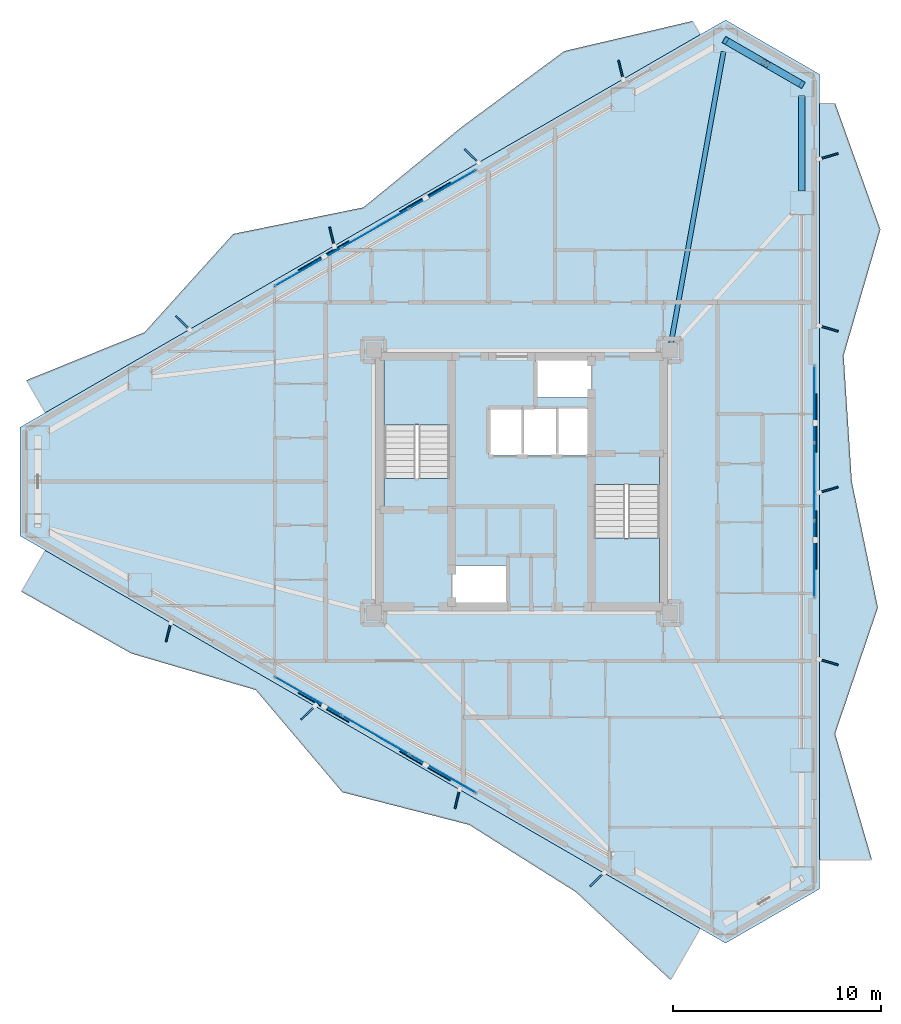
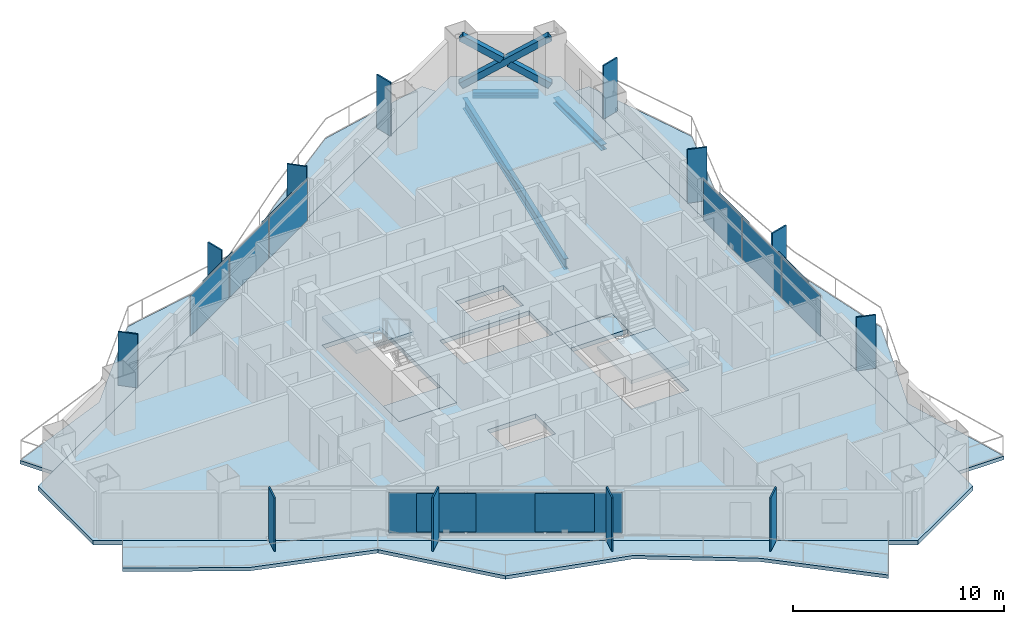
# One storey, part 14 of 22: 27 plates, 8 slabs, 3 beams, 3 members, 5 elements without a shape of their own.
"""IFC4 building model written with IfcOpenShell, lengths in metres."""

from ifc_helpers import new_model, si_unit, direction, frame, origin, origin_2d, place, context, subcontext, project, spatial, polyline, rectangle, hollow_rectangle, i_section, outline, extrude, material, layer, layer_set, material_profile, profile_set, type_object, element, aggregate, save


model = new_model("IFC4")

# Units and contexts
model_context = context("Model", 3, precision=1e-05, world=origin(), true_north=direction((0.0, 1.0)))
body_context = subcontext(model_context, "Body", "Model", "MODEL_VIEW")
ifc_project = project(units=[si_unit("LENGTHUNIT", "METRE"), si_unit("AREAUNIT", "SQUARE_METRE"), si_unit("VOLUMEUNIT", "CUBIC_METRE"), si_unit("PLANEANGLEUNIT", "RADIAN"), si_unit("MASSUNIT", "GRAM", prefix="KILO")], contexts=[model_context])

# Site, building, storey
site_placement = place(None, origin())
site = spatial("IfcSite", under=ifc_project, at=site_placement, CompositionType="ELEMENT")
building_placement = place(site_placement, origin())
building = spatial("IfcBuilding", under=site, at=building_placement, Name="Mersakhor Tower and Convention Hall", CompositionType="ELEMENT")
storey_placement = place(building_placement, frame((0.0, 0.0, 103.199951171875)))
storey = spatial("IfcBuildingStorey", under=building, at=storey_placement, Name="L28", CompositionType="ELEMENT", Elevation=103.199951171875)

# Beams
ifc_material_1 = material(Name="Steel S355", Category="steel")
ifc_material_profile_1 = material_profile(ifc_material_1, i_section(OverallWidth=0.22900390625, OverallDepth=0.6123046875, WebThickness=0.011962890625, FlangeThickness=0.01953125, at=origin_2d()), Name="UB 610x229x125")
ifc_profile_set_1 = profile_set([ifc_material_profile_1], Name="Steel S355")
beam_type_1 = type_object("IfcBeamType", Name="BM-PR-610", PredefinedType="BEAM", material=ifc_profile_set_1)
beam_1_placement = place(storey_placement, frame((36.1630859375, 33.3994140625, -0.55615234375), z_axis=(0.177407335198, 0.984137509405, 0.0), x_axis=(-0.984137509405, 0.177407335198, 0.0)))
element("IfcBeam", 1, at=beam_1_placement, inside=storey, type_object=beam_type_1, Name="L28 Primary Floor Girder FG-2", PredefinedType="BEAM", context=body_context, shape_type="SweptSolid", body=[
    extrude(i_section(OverallWidth=0.22900390625, OverallDepth=0.6123046875, WebThickness=0.011962890625, FlangeThickness=0.01953125, at=origin_2d()), origin(), (0.0, 0.0, 1.0), 14.188232421875),
])
ifc_material_2 = material(Name="Steel S355", Category="steel")
ifc_material_profile_2 = material_profile(ifc_material_2, i_section(OverallWidth=0.30908203125, OverallDepth=0.320556640625, WebThickness=0.013916015625, FlangeThickness=0.021728515625, at=origin_2d()), Name="UC 305x305x137")
ifc_profile_set_2 = profile_set([ifc_material_profile_2], Name="Steel S355")
beam_type_2 = type_object("IfcBeamType", Name="BM-SPD-UC305", PredefinedType="SPANDREL", material=ifc_profile_set_2)
beam_2_placement = place(storey_placement, frame((39.25927734375, 47.631103515625, -0.41015625), z_axis=(0.866052319632, -0.499953377486, 0.0), x_axis=(0.499953377486, 0.866052319632, 0.0)))
element("IfcBeam", 2, at=beam_2_placement, inside=storey, type_object=beam_type_2, Name="L28 Perimeter Spandrel Beam SPB-04", PredefinedType="SPANDREL", context=body_context, shape_type="SweptSolid", body=[
    extrude(i_section(OverallWidth=0.30908203125, OverallDepth=0.320556640625, WebThickness=0.013916015625, FlangeThickness=0.021728515625, at=origin_2d()), origin(), (0.0, 0.0, 1.0), 3.111572265625),
])
beam_3_placement = place(storey_placement, frame((42.4345703125, 45.242919921875, -0.41015625), z_axis=(0.0, -1.0, 0.0), x_axis=(1.0, 0.0, 0.0)))
element("IfcBeam", 3, at=beam_3_placement, inside=storey, type_object=beam_type_2, Name="L28 Perimeter Spandrel Beam SPB-05", PredefinedType="SPANDREL", context=body_context, shape_type="SweptSolid", body=[
    extrude(i_section(OverallWidth=0.30908203125, OverallDepth=0.320556640625, WebThickness=0.013916015625, FlangeThickness=0.021728515625, at=origin_2d()), origin(), (0.0, 0.0, 1.0), 4.566162109375),
])

# Members
ifc_material_3 = material(Name="Steel S460", Category="steel")
ifc_material_profile_3 = material_profile(ifc_material_3, hollow_rectangle(XDim=0.35009765625, YDim=0.35009765625, WallThickness=0.02001953125, at=origin_2d()), Name="SHS 350x350x20")
ifc_profile_set_3 = profile_set([ifc_material_profile_3], Name="Steel S460")
member_type = type_object("IfcMemberType", Name="MB-BRC-SHS350", PredefinedType="BRACE", material=ifc_profile_set_3)
member_placement = place(storey_placement, frame((38.77880859375, 47.90869140625, 0.150146484375), z_axis=(0.725633725484, -0.418933054415, 0.545848689986), x_axis=(0.49998946241, 0.866031487579, 0.0)))
element("IfcMember", 4, at=member_placement, inside=storey, type_object=member_type, Name="L28 Chamfer Braced Frame Diagonal CB-1A", PredefinedType="BRACE", context=body_context, shape_type="SweptSolid", body=[
    extrude(hollow_rectangle(XDim=0.35009765625, YDim=0.35009765625, WallThickness=0.02001953125, at=origin_2d()), origin(), (0.0, 0.0, 1.0), 5.0380859375),
])
for number, where, z_axis, x_axis, name in (
    (5, (42.4345703125, 45.798095703125, 0.150146484375), (-0.725684866011, 0.418886985747, 0.545816057307), (-0.499921796684, -0.866070549782, 0.0), "L28 Chamfer Braced Frame Diagonal CB-1B Lower Half"),
    (6, (40.4619140625, 46.93701171875, 1.6337890625), (-0.725593346201, 0.41889491121, 0.545931634283), (-0.499976186015, -0.866039152359, 0.0), "L28 Chamfer Braced Frame Diagonal CB-1B Upper Half"),
):
    element("IfcMember", number, at=place(storey_placement, frame(where, z_axis=z_axis, x_axis=x_axis)), inside=storey, type_object=member_type, Name=name, PredefinedType="BRACE", context=body_context, shape_type="SweptSolid", body=[
        extrude(hollow_rectangle(XDim=0.35009765625, YDim=0.35009765625, WallThickness=0.02001953125, at=origin_2d()), origin(), (0.0, 0.0, 1.0), 2.319580078125),
    ])

# Curtain wall, plates
ifc_material_4 = material(Name="Dark solar low-E aluminium curtain wall", Category="aluminium")
ifc_layer_1 = layer(ifc_material_4, 0.159912109375)
ifc_layer_set_1 = layer_set([ifc_layer_1], Name="Dark solar low-E aluminium curtain wall")
curtain_wall_type = type_object("IfcCurtainWallType", Name="CW-SYS-01", PredefinedType="USERDEFINED", material=ifc_layer_set_1)
curtain_wall_1_placement = place(storey_placement, origin())
curtain_wall_1 = element("IfcCurtainWall", 7, at=curtain_wall_1_placement, inside=storey, type_object=curtain_wall_type, Name="L28 Dark-Glass Curtain Wall F1-B2", ObjectType="CURTAIN WALL", PredefinedType="USERDEFINED")
ifc_material_5 = material(Name="Dark solar double glazing", Category="glass")
ifc_layer_2 = layer(ifc_material_5, 0.02392578125)
ifc_layer_set_2 = layer_set([ifc_layer_2], Name="Dark solar double glazing")
plate_type_1 = type_object("IfcPlateType", Name="CWP-GLZ-24", PredefinedType="CURTAIN_PANEL", material=ifc_layer_set_2)
plate_1_placement = place(storey_placement, frame((18.75732421875, 37.042236328125, 0.260009765625), z_axis=(0.0, 0.0, 1.0), x_axis=(0.866026613339, 0.499997904985, 0.0)))
plate_1 = element("IfcPlate", 8, at=plate_1_placement, type_object=plate_type_1, Name="CW-01 panel 1.1", PredefinedType="CURTAIN_PANEL", context=body_context, shape_type="SweptSolid", body=[
    extrude(rectangle(XDim=3.630615234375, YDim=0.02392578125, at=origin_2d()), origin(), (0.0, 0.0, 1.0), 2.35009765625),
])
plate_2_placement = place(storey_placement, frame((21.982666015625, 38.904296875, 0.260009765625), z_axis=(0.0, 0.0, 1.0), x_axis=(0.866026613339, 0.499997904985, 0.0)))
plate_2 = element("IfcPlate", 9, at=plate_2_placement, type_object=plate_type_1, Name="CW-01 panel 2.1", PredefinedType="CURTAIN_PANEL", context=body_context, shape_type="SweptSolid", body=[
    extrude(rectangle(XDim=3.668212890625, YDim=0.02392578125, at=origin_2d()), origin(), (0.0, 0.0, 1.0), 2.35009765625),
])
plate_3_placement = place(storey_placement, frame((25.2080078125, 40.7666015625, 0.260009765625), z_axis=(0.0, 0.0, 1.0), x_axis=(0.866026613339, 0.499997904985, 0.0)))
plate_3 = element("IfcPlate", 10, at=plate_3_placement, type_object=plate_type_1, Name="CW-01 panel 3.1", PredefinedType="CURTAIN_PANEL", context=body_context, shape_type="SweptSolid", body=[
    extrude(rectangle(XDim=3.630615234375, YDim=0.02392578125, at=origin_2d()), origin(), (0.0, 0.0, 1.0), 2.35009765625),
])
aggregate(curtain_wall_1, [plate_1, plate_2, plate_3])

curtain_wall_2_placement = place(storey_placement, origin())
curtain_wall_2 = element("IfcCurtainWall", 11, at=curtain_wall_2_placement, inside=storey, type_object=curtain_wall_type, Name="L28 Dark-Glass Curtain Wall F2-B2", ObjectType="CURTAIN WALL", PredefinedType="USERDEFINED")
plate_4_placement = place(storey_placement, frame((43.03466796875, 30.474365234375, 0.260009765625), z_axis=(0.0, 0.0, 1.0), x_axis=(0.0, -1.0, 0.0)))
plate_4 = element("IfcPlate", 12, at=plate_4_placement, type_object=plate_type_1, Name="CW-01 panel 1.1", PredefinedType="CURTAIN_PANEL", context=body_context, shape_type="SweptSolid", body=[
    extrude(rectangle(XDim=3.630615234375, YDim=0.02392578125, at=origin_2d()), origin(), (0.0, 0.0, 1.0), 2.35009765625),
])
plate_5_placement = place(storey_placement, frame((43.03466796875, 26.75, 0.260009765625), z_axis=(0.0, 0.0, 1.0), x_axis=(0.0, -1.0, 0.0)))
plate_5 = element("IfcPlate", 13, at=plate_5_placement, type_object=plate_type_1, Name="CW-01 panel 2.1", PredefinedType="CURTAIN_PANEL", context=body_context, shape_type="SweptSolid", body=[
    extrude(rectangle(XDim=3.668212890625, YDim=0.02392578125, at=origin_2d()), origin(), (0.0, 0.0, 1.0), 2.35009765625),
])
plate_6_placement = place(storey_placement, frame((43.03466796875, 23.025634765625, 0.260009765625), z_axis=(0.0, 0.0, 1.0), x_axis=(0.0, -1.0, 0.0)))
plate_6 = element("IfcPlate", 14, at=plate_6_placement, type_object=plate_type_1, Name="CW-01 panel 3.1", PredefinedType="CURTAIN_PANEL", context=body_context, shape_type="SweptSolid", body=[
    extrude(rectangle(XDim=3.630615234375, YDim=0.02392578125, at=origin_2d()), origin(), (0.0, 0.0, 1.0), 2.35009765625),
])
aggregate(curtain_wall_2, [plate_4, plate_5, plate_6])

curtain_wall_3_placement = place(storey_placement, origin())
curtain_wall_3 = element("IfcCurtainWall", 15, at=curtain_wall_3_placement, inside=storey, type_object=curtain_wall_type, Name="L28 Dark-Glass Curtain Wall F3-B2", ObjectType="CURTAIN WALL", PredefinedType="USERDEFINED")
plate_7_placement = place(storey_placement, frame((25.2080078125, 12.7333984375, 0.260009765625), z_axis=(0.0, 0.0, 1.0), x_axis=(-0.866026613339, 0.499997904985, 0.0)))
plate_7 = element("IfcPlate", 16, at=plate_7_placement, type_object=plate_type_1, Name="CW-01 panel 1.1", PredefinedType="CURTAIN_PANEL", context=body_context, shape_type="SweptSolid", body=[
    extrude(rectangle(XDim=3.630615234375, YDim=0.02392578125, at=origin_2d()), origin(), (0.0, 0.0, 1.0), 2.35009765625),
])
plate_8_placement = place(storey_placement, frame((21.982666015625, 14.595703125, 0.260009765625), z_axis=(0.0, 0.0, 1.0), x_axis=(-0.866026613339, 0.499997904985, 0.0)))
plate_8 = element("IfcPlate", 17, at=plate_8_placement, type_object=plate_type_1, Name="CW-01 panel 2.1", PredefinedType="CURTAIN_PANEL", context=body_context, shape_type="SweptSolid", body=[
    extrude(rectangle(XDim=3.668212890625, YDim=0.02392578125, at=origin_2d()), origin(), (0.0, 0.0, 1.0), 2.35009765625),
])
plate_9_placement = place(storey_placement, frame((18.75732421875, 16.457763671875, 0.260009765625), z_axis=(0.0, 0.0, 1.0), x_axis=(-0.866026613339, 0.499997904985, 0.0)))
plate_9 = element("IfcPlate", 18, at=plate_9_placement, type_object=plate_type_1, Name="CW-01 panel 3.1", PredefinedType="CURTAIN_PANEL", context=body_context, shape_type="SweptSolid", body=[
    extrude(rectangle(XDim=3.630615234375, YDim=0.02392578125, at=origin_2d()), origin(), (0.0, 0.0, 1.0), 2.35009765625),
])
aggregate(curtain_wall_3, [plate_7, plate_8, plate_9])

# Plates
ifc_material_6 = material(Name="Ceramic-clad aluminium Zone 2 emerald-teal", Category="aluminium")
ifc_material_7 = material(Name="Ceramic-clad aluminium Zone 1 cobalt-slate", Category="masonry")
ifc_layer_3 = layer(ifc_material_7, 0.080078125)
ifc_layer_set_3 = layer_set([ifc_layer_3], Name="Ceramic-clad aluminium Zone 1 cobalt-slate")
plate_type_2 = type_object("IfcPlateType", Name="PL-FIN-80", PredefinedType="USERDEFINED", material=ifc_layer_set_3)
for number, where, z_axis, x_axis, name in (
    (19, (12.74560546875, 34.364013671875, 0.0), (0.0, 0.0, 1.0), (-0.719339800339, 0.694658370459, 0.0), "L28 Zone 2 Coloured Brise-Soleil Fin F1-1"),
    (20, (19.900634765625, 38.4951171875, 0.0), (0.0, 0.0, 1.0), (-0.2419218956, 0.970295726276, 0.0), "L28 Zone 2 Coloured Brise-Soleil Fin F1-2"),
    (21, (26.60205078125, 42.364013671875, 0.0), (0.0, 0.0, 1.0), (-0.719339800339, 0.694658370459, 0.0), "L28 Zone 2 Coloured Brise-Soleil Fin F1-3"),
    (22, (33.757080078125, 46.4951171875, 0.0), (0.0, 0.0, 1.0), (-0.2419218956, 0.970295726276, 0.0), "L28 Zone 2 Coloured Brise-Soleil Fin F1-4"),
    (23, (43.72119140625, 42.35302734375, 0.0), (0.0, 0.0, 1.0), (0.961261695938, 0.275637355817, 0.0), "L28 Zone 2 Coloured Brise-Soleil Fin F2-1"),
    (24, (43.72119140625, 34.091064453125, 0.0), (0.0, 0.0, 1.0), (0.961261695938, -0.275637355817, 0.0), "L28 Zone 2 Coloured Brise-Soleil Fin F2-2"),
    (25, (43.72119140625, 26.35302734375, 0.0), (0.0, 0.0, 1.0), (0.961261695938, 0.275637355817, 0.0), "L28 Zone 2 Coloured Brise-Soleil Fin F2-3"),
    (26, (43.72119140625, 18.091064453125, 0.0), (0.0, 0.0, 1.0), (0.961261695938, -0.275637355817, 0.0), "L28 Zone 2 Coloured Brise-Soleil Fin F2-4"),
    (27, (32.61572265625, 7.663818359375, 0.0), (0.0, 0.0, 1.0), (-0.719339800339, -0.694658370459, 0.0), "L28 Zone 2 Coloured Brise-Soleil Fin F3-1"),
    (28, (25.914306640625, 11.532958984375, 0.0), (0.0, 0.0, 1.0), (-0.2419218956, -0.970295726276, 0.0), "L28 Zone 2 Coloured Brise-Soleil Fin F3-2"),
    (29, (18.759521484375, 15.663818359375, 0.0), (0.0, 0.0, 1.0), (-0.719339800339, -0.694658370459, 0.0), "L28 Zone 2 Coloured Brise-Soleil Fin F3-3"),
    (30, (12.057861328125, 19.532958984375, 0.0), (0.0, 0.0, 1.0), (-0.2419218956, -0.970295726276, 0.0), "L28 Zone 2 Coloured Brise-Soleil Fin F3-4"),
):
    element("IfcPlate", number, at=place(storey_placement, frame(where, z_axis=z_axis, x_axis=x_axis)), inside=storey, type_object=plate_type_2, material=ifc_material_6, Name=name, ObjectType="FIN", PredefinedType="USERDEFINED", context=body_context, shape_type="SweptSolid", body=[
        extrude(rectangle(XDim=0.949951171875, YDim=0.080078125, at=origin_2d()), origin(), (0.0, 0.0, 1.0), 3.10009765625),
    ])
ifc_material_8 = material(Name="Perforated ceramic cobogo solar screen", Category="aluminium")
ifc_layer_4 = layer(ifc_material_8, 0.048095703125)
ifc_layer_set_4 = layer_set([ifc_layer_4], Name="Perforated ceramic cobogo solar screen")
plate_type_3 = type_object("IfcPlateType", Name="PL-SCR-48", PredefinedType="USERDEFINED", material=ifc_layer_set_4)
for number, where, z_axis, x_axis, name in (
    (31, (19.50439453125, 37.58203125, 0.39990234375), (0.0, 0.0, 1.0), (0.866025403784, 0.5, 0.0), "L28 Perforated Ceramic Solar Screen F1-1"),
    (32, (24.366943359375, 40.389404296875, 0.39990234375), (0.0, 0.0, 1.0), (0.866025403784, 0.5, 0.0), "L28 Perforated Ceramic Solar Screen F1-2"),
    (33, (43.128662109375, 29.557373046875, 0.39990234375), (0.0, 0.0, 1.0), (0.0, -1.0, 0.0), "L28 Perforated Ceramic Solar Screen F2-1"),
    (34, (43.128662109375, 23.942626953125, 0.39990234375), (0.0, 0.0, 1.0), (0.0, -1.0, 0.0), "L28 Perforated Ceramic Solar Screen F2-2"),
    (35, (24.366943359375, 13.110595703125, 0.39990234375), (0.0, 0.0, 1.0), (-0.866025403784, 0.5, 0.0), "L28 Perforated Ceramic Solar Screen F3-1"),
    (36, (19.50439453125, 15.91796875, 0.39990234375), (0.0, 0.0, 1.0), (-0.866025403784, 0.5, 0.0), "L28 Perforated Ceramic Solar Screen F3-2"),
):
    element("IfcPlate", number, at=place(storey_placement, frame(where, z_axis=z_axis, x_axis=x_axis)), inside=storey, type_object=plate_type_3, Name=name, ObjectType="SCREEN", PredefinedType="USERDEFINED", context=body_context, shape_type="SweptSolid", body=[
        extrude(rectangle(XDim=2.800048828125, YDim=0.048095703125, at=origin_2d()), origin(), (0.0, 0.0, 1.0), 2.219970703125),
    ])

# Slabs
ifc_material_9 = material(Name="Concrete C45/55", Category="concrete")
ifc_layer_5 = layer(ifc_material_9, 0.199951171875)
ifc_layer_set_5 = layer_set([ifc_layer_5], Name="Concrete C45/55")
slab_type_1 = type_object("IfcSlabType", Name="SL-BAL-200", PredefinedType="FLOOR", material=ifc_layer_set_5)
slab_1_placement = place(storey_placement, frame((0.0, 0.0, -0.199951171875)))
element("IfcSlab", 37, at=slab_1_placement, inside=storey, type_object=slab_type_1, Name="L28 Sinusoidal Balcony Slab Face 1", PredefinedType="FLOOR", context=body_context, shape_type="SweptSolid", body=[
    extrude(outline(polyline([(6.149169921875, 30.051513671875), (37.56640625, 48.190185546875), (37.19140625, 48.839599609375), (31.042724609375, 47.396728515625), (26.14990234375, 43.77880859375), (21.408203125, 39.8994140625), (15.16162109375, 38.62646484375), (10.9052734375, 33.906005859375), (5.2490234375, 31.6103515625), (6.149169921875, 30.051513671875)])), origin(), (0.0, 0.0, 1.0), 0.199951171875),
])
slab_2_placement = place(storey_placement, frame((0.0, 0.0, -0.199951171875)))
element("IfcSlab", 38, at=slab_2_placement, inside=storey, type_object=slab_type_1, Name="L28 Sinusoidal Balcony Slab Face 2", PredefinedType="FLOOR", context=body_context, shape_type="SweptSolid", body=[
    extrude(outline(polyline([(43.28466796875, 44.888671875), (43.28466796875, 8.611328125), (45.7998046875, 8.611328125), (44.03466796875, 14.657470703125), (46.085693359375, 20.703857421875), (44.83544921875, 26.75), (44.44189453125, 32.796142578125), (46.20458984375, 38.842529296875), (44.03662109375, 44.888671875), (43.28466796875, 44.888671875)])), origin(), (0.0, 0.0, 1.0), 0.199951171875),
])
slab_3_placement = place(storey_placement, frame((0.0, 0.0, -0.199951171875)))
element("IfcSlab", 39, at=slab_3_placement, inside=storey, type_object=slab_type_1, Name="L28 Sinusoidal Balcony Slab Face 3", PredefinedType="FLOOR", context=body_context, shape_type="SweptSolid", body=[
    extrude(outline(polyline([(37.56640625, 5.309814453125), (6.149169921875, 23.448486328125), (5.00537109375, 21.467529296875), (10.2763671875, 18.504638671875), (16.24658203125, 16.752685546875), (20.397705078125, 11.850341796875), (26.477294921875, 10.287841796875), (31.59716796875, 7.063720703125), (36.142333984375, 2.843505859375), (37.56640625, 5.309814453125)])), origin(), (0.0, 0.0, 1.0), 0.199951171875),
])
ifc_material_10 = material(Name="Concrete C40/50", Category="concrete")
ifc_layer_6 = layer(ifc_material_10, 0.25)
ifc_layer_set_6 = layer_set([ifc_layer_6], Name="Concrete C40/50")
slab_type_2 = type_object("IfcSlabType", Name="SL-FLR-250", PredefinedType="FLOOR", material=ifc_layer_set_6)
slab_4_placement = place(storey_placement, frame((0.0, 0.0, -0.25)))
element("IfcSlab", 40, at=slab_4_placement, inside=storey, type_object=slab_type_2, Name="L28 ST-1 Structural Stair Floor Landing", PredefinedType="LANDING", context=body_context, shape_type="SweptSolid", body=[
    extrude(outline(polyline([(25.550048828125, 25.39990234375), (25.550048828125, 26.89990234375), (22.39990234375, 26.89990234375), (22.39990234375, 25.39990234375), (25.550048828125, 25.39990234375)])), origin(), (0.0, 0.0, 1.0), 0.25),
])
slab_5_placement = place(storey_placement, frame((0.0, 0.0, -0.25)))
element("IfcSlab", 41, at=slab_5_placement, inside=storey, type_object=slab_type_2, Name="L28 ST-2 Structural Stair Floor Landing", PredefinedType="LANDING", context=body_context, shape_type="SweptSolid", body=[
    extrude(outline(polyline([(32.449951171875, 28.10009765625), (32.449951171875, 26.60009765625), (35.60009765625, 26.60009765625), (35.60009765625, 28.10009765625), (32.449951171875, 28.10009765625)])), origin(), (0.0, 0.0, 1.0), 0.25),
])
slab_6_placement = place(storey_placement, frame((0.0, 0.0, -0.25)))
element("IfcSlab", 42, at=slab_6_placement, inside=storey, type_object=slab_type_2, Name="Tower L28 Structural Floor Slab", PredefinedType="FLOOR", context=body_context, shape_type="SweptSolid", body=[
    extrude(outline(polyline([(4.936767578125, 29.3515625), (38.77880859375, 48.89013671875), (43.28466796875, 46.288818359375), (43.28466796875, 7.211181640625), (38.77880859375, 4.60986328125), (4.936767578125, 24.1484375), (4.936767578125, 29.3515625)]), holes=[polyline([(25.550048828125, 25.39990234375), (25.550048828125, 32.699951171875), (22.39990234375, 32.699951171875), (22.39990234375, 25.39990234375), (25.550048828125, 25.39990234375)]), polyline([(32.449951171875, 28.10009765625), (32.449951171875, 20.800048828125), (35.60009765625, 20.800048828125), (35.60009765625, 28.10009765625), (32.449951171875, 28.10009765625)]), polyline([(25.679931640625, 20.820068359375), (25.679931640625, 22.719970703125), (28.320068359375, 22.719970703125), (28.320068359375, 20.820068359375), (25.679931640625, 20.820068359375)]), polyline([(29.679931640625, 30.780029296875), (29.679931640625, 32.679931640625), (32.320068359375, 32.679931640625), (32.320068359375, 30.780029296875), (29.679931640625, 30.780029296875)]), polyline([(27.429931640625, 28.0), (27.429931640625, 30.25), (32.320068359375, 30.25), (32.320068359375, 28.0), (27.429931640625, 28.0)])]), origin(), (0.0, 0.0, 1.0), 0.25),
])

# Stair, slab
ifc_material_11 = material(Name="Concrete C45/55", Category="concrete")
stair_type = type_object("IfcStairType", Name="ST-TWR-20R", PredefinedType="HALF_TURN_STAIR", material=ifc_material_11)
stair_1_placement = place(storey_placement, origin())
stair_1 = element("IfcStair", 43, at=stair_1_placement, inside=storey, type_object=stair_type, Name="L28 Tower Protected Exit Stair ST-1", PredefinedType="HALF_TURN_STAIR")
ifc_material_12 = material(Name="Concrete C45/55", Category="concrete")
ifc_layer_7 = layer(ifc_material_12, 0.199951171875)
ifc_layer_set_7 = layer_set([ifc_layer_7], Name="Concrete C45/55")
slab_type_3 = type_object("IfcSlabType", Name="SL-LAND-200", PredefinedType="LANDING", material=ifc_layer_set_7)
slab_7_placement = place(storey_placement, frame((0.0, 0.0, 1.449951171875)))
slab_7 = element("IfcSlab", 44, at=slab_7_placement, type_object=slab_type_3, Name="ST-1 landing 1", PredefinedType="LANDING", context=body_context, shape_type="SweptSolid", body=[
    extrude(outline(polyline([(25.550048828125, 29.465087890625), (25.550048828125, 32.699951171875), (22.39990234375, 32.699951171875), (22.39990234375, 29.465087890625), (25.550048828125, 29.465087890625)])), origin(), (0.0, 0.0, 1.0), 0.2001953125),
])
aggregate(stair_1, [slab_7])

stair_2_placement = place(storey_placement, origin())
stair_2 = element("IfcStair", 45, at=stair_2_placement, inside=storey, type_object=stair_type, Name="L28 Tower Protected Exit Stair ST-2", PredefinedType="HALF_TURN_STAIR")
slab_8_placement = place(storey_placement, frame((0.0, 0.0, 1.449951171875)))
slab_8 = element("IfcSlab", 46, at=slab_8_placement, type_object=slab_type_3, Name="ST-2 landing 1", PredefinedType="LANDING", context=body_context, shape_type="SweptSolid", body=[
    extrude(outline(polyline([(32.449951171875, 24.034912109375), (32.449951171875, 20.800048828125), (35.60009765625, 20.800048828125), (35.60009765625, 24.034912109375), (32.449951171875, 24.034912109375)])), origin(), (0.0, 0.0, 1.0), 0.2001953125),
])
aggregate(stair_2, [slab_8])

save(model, "model.ifc")
